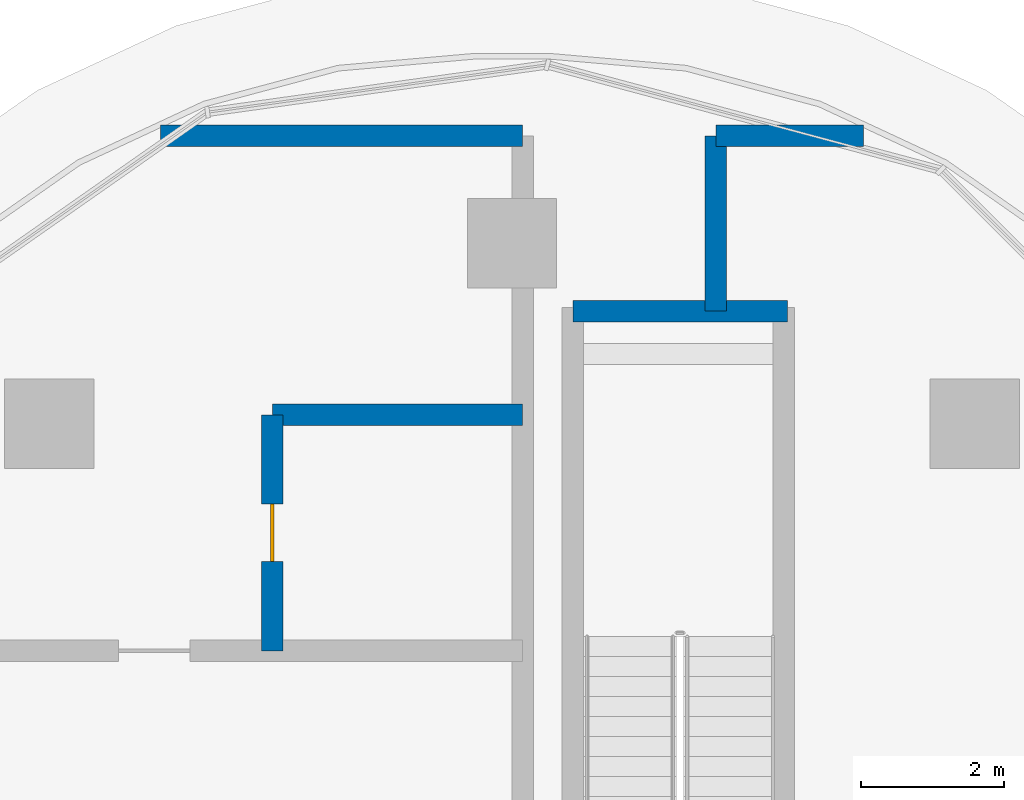
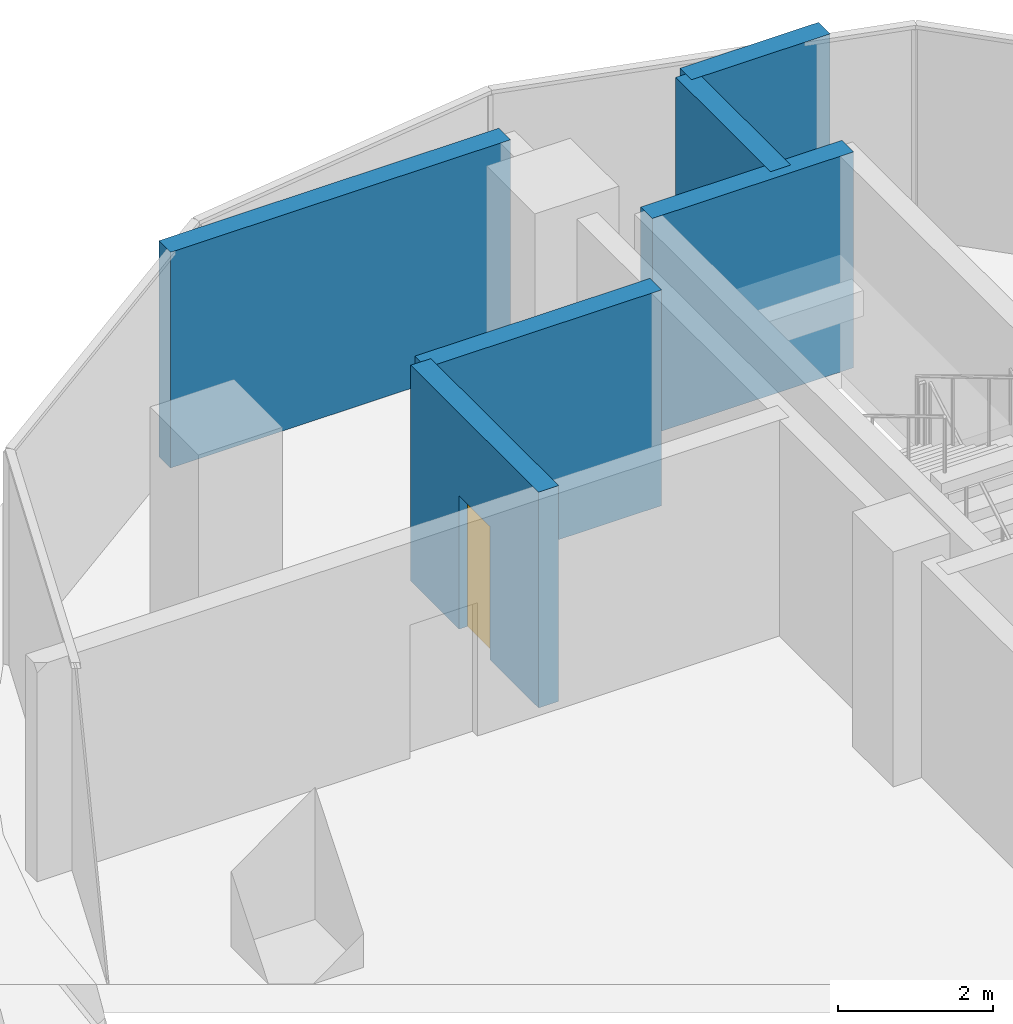
# One storey, part 15 of 25: 6 walls, 1 door, 1 opening.
"""IFC4 building model written with IfcOpenShell, lengths in metres."""

import ifcopenshell
import ifcopenshell.guid

model = None  # the IFC model being written
_history = None  # IfcOwnerHistory: only IFC2X3 demands one
_inside = {}  # id of a spatial element -> (the spatial element, [elements in it])
_under = {}  # id of a project, library or spatial element -> (it, [spatial elements below it])
_declared = {}  # id of a project -> (the project, [libraries it declares])
_typed = {}  # id of a type object -> (the type object, [elements of that type])
_made_of = {}  # id of a material, layer set ... -> (it, [elements and type objects made of it])


def new_model(schema):
    """Start an empty IFC model of exactly this schema.

    Asked for "IFC4X3", IfcOpenShell would pick the latest addendum, in which some entities
    have other attributes; the version numbers below select the first issue.
    IFC2X3 requires an IfcOwnerHistory on every rooted entity: one is made here for all.
    """
    global model, _history
    if schema == "IFC4X3":
        model = ifcopenshell.file(schema_version=(4, 3, 0, 0))
    else:
        model = ifcopenshell.file(schema=schema)
    _inside.clear()
    _under.clear()
    _declared.clear()
    _typed.clear()
    _made_of.clear()
    _history = None
    if model.schema == "IFC2X3":
        org = make("IfcOrganization", Name="unknown")
        user = make(
            "IfcPersonAndOrganization",
            ThePerson=make("IfcPerson", FamilyName="unknown"),
            TheOrganization=org,
        )
        app = make(
            "IfcApplication",
            ApplicationDeveloper=org,
            Version="unknown",
            ApplicationFullName="unknown",
            ApplicationIdentifier="unknown",
        )
        _history = make(
            "IfcOwnerHistory",
            OwningUser=user,
            OwningApplication=app,
            ChangeAction="ADDED",
            CreationDate=0,
        )
    return model


def make(cls, **values):
    """One entity of the class cls with the attributes given. An attribute that is None is left unset."""
    return model.create_entity(
        cls, **{name: value for name, value in values.items() if value is not None}
    )


def rooted(cls, **values):
    """An entity with a GlobalId (a new one), such as an element, a storey or a relation."""
    return make(cls, GlobalId=ifcopenshell.guid.new(), OwnerHistory=_history, **values)


def si_unit(unit_type, name, prefix=None):
    """IfcSIUnit, for example si_unit("LENGTHUNIT", "METRE", prefix="MILLI")."""
    return make("IfcSIUnit", UnitType=unit_type, Prefix=prefix, Name=name)


def assignment(units):
    """IfcUnitAssignment: the units of a project."""
    return None if units is None else make("IfcUnitAssignment", Units=units)


def point(xyz):
    """IfcCartesianPoint."""
    return None if xyz is None else make("IfcCartesianPoint", Coordinates=xyz)


def direction(xyz):
    """IfcDirection."""
    return None if xyz is None else make("IfcDirection", DirectionRatios=xyz)


def frame(location, z_axis=None, x_axis=None):
    """IfcAxis2Placement3D, a coordinate frame: its origin and axes. An axis left out is left unset."""
    return make(
        "IfcAxis2Placement3D",
        Location=point(location),
        Axis=direction(z_axis),
        RefDirection=direction(x_axis),
    )


def frame_2d(location, x_axis=None):
    """IfcAxis2Placement2D, a coordinate frame in the plane: its origin and x axis."""
    return make(
        "IfcAxis2Placement2D", Location=point(location), RefDirection=direction(x_axis)
    )


def origin():
    """The frame at (0, 0, 0) with its axes left unset."""
    return frame((0.0, 0.0, 0.0))


def place(relative_to, where):
    """IfcLocalPlacement: puts the frame where relative to a parent placement (None: the world)."""
    return make(
        "IfcLocalPlacement", PlacementRelTo=relative_to, RelativePlacement=where
    )


def context(
    kind, dimensions, precision=None, world=None, true_north=None, identifier=None
):
    """IfcGeometricRepresentationContext, for example the 3D "Model" context."""
    return make(
        "IfcGeometricRepresentationContext",
        ContextIdentifier=identifier,
        ContextType=kind,
        CoordinateSpaceDimension=dimensions,
        Precision=precision,
        WorldCoordinateSystem=world,
        TrueNorth=true_north,
    )


def subcontext(parent, identifier, kind, view, scale=None):
    """IfcGeometricRepresentationSubContext, for example "Body" below "Model"."""
    return make(
        "IfcGeometricRepresentationSubContext",
        ContextIdentifier=identifier,
        ContextType=kind,
        ParentContext=parent,
        TargetScale=scale,
        TargetView=view,
    )


def project(units=None, contexts=None):
    """IfcProject with its units and contexts."""
    return rooted(
        "IfcProject",
        Name="project",
        RepresentationContexts=contexts,
        UnitsInContext=assignment(units),
    )


def spatial(cls, under=None, at=None, **own):
    """A site, building, storey or space (cls), placed at a placement, below another one or the project."""
    s = rooted(cls, ObjectPlacement=at, **own)
    if under is not None:
        _under.setdefault(under.id(), (under, []))[1].append(s)
    return s


def profile(cls, at=None, kind="AREA", **sizes):
    """A parametric profile (cls). Its sizes go by their IFC names, for example OverallWidth=200.0."""
    return make(cls, ProfileType=kind, Position=at, **sizes)


def rectangle(**sizes):
    """IfcRectangleProfileDef."""
    return profile("IfcRectangleProfileDef", **sizes)


def extrude(swept, where, along, depth):
    """IfcExtrudedAreaSolid: the profile swept, set in the frame where, extruded along a direction by depth."""
    return make(
        "IfcExtrudedAreaSolid",
        SweptArea=swept,
        Position=where,
        ExtrudedDirection=direction(along),
        Depth=depth,
    )


def shape(context_of_items, identifier, shape_type, items):
    """IfcShapeRepresentation: the items that make up one representation, for example the "Body"."""
    return make(
        "IfcShapeRepresentation",
        ContextOfItems=context_of_items,
        RepresentationIdentifier=identifier,
        RepresentationType=shape_type,
        Items=items,
    )


def material(Name=None, Category=None):
    """IfcMaterial."""
    return make("IfcMaterial", Name=Name, Category=Category)


def layer(
    of_material, thickness, ventilated=None, Name=None, Category=None, Priority=None
):
    """IfcMaterialLayer: one layer of a wall or slab, of a material (None: an air gap)."""
    return make(
        "IfcMaterialLayer",
        Material=of_material,
        LayerThickness=thickness,
        IsVentilated=ventilated,
        Name=Name,
        Category=Category,
        Priority=Priority,
    )


def layer_set(layers, Name=None):
    """IfcMaterialLayerSet."""
    return make("IfcMaterialLayerSet", MaterialLayers=layers, LayerSetName=Name)


def made_of(thing, what):
    """Note that an element or type object is made of a material, layer set ...; save() writes the relation."""
    if what is not None:
        _made_of.setdefault(what.id(), (what, []))[1].append(thing)
    return thing


def type_object(cls, material=None, **own):
    """A type object (cls), such as IfcWallType, which elements share."""
    return made_of(rooted(cls, **own), material)


def element(
    cls,
    number,
    at=None,
    inside=None,
    cuts=None,
    type_object=None,
    material=None,
    context=None,
    identifier="Body",
    shape_type=None,
    held_by="IfcProductDefinitionShape",
    body=None,
    shapes=None,
    **own,
):
    """One element of the class cls, such as IfcWall. Its Tag is "e" and its number.

    at: its placement. inside: the storey or other place that contains it. cuts: it is an
    opening in that element (IfcRelVoidsElement). A single representation is given by context,
    identifier, shape_type and body (its items); several are given by shapes. held_by: the class
    of the entity that holds the representations. save() writes the other relations.
    """
    e = rooted(cls, Tag="e%d" % number, ObjectPlacement=at, **own)
    if body is not None:
        shapes = [shape(context, identifier, shape_type, body)]
    if shapes is not None:
        e.Representation = make(held_by, Representations=shapes)
    if inside is not None:
        _inside.setdefault(inside.id(), (inside, []))[1].append(e)
    if cuts is not None:
        rooted(
            "IfcRelVoidsElement", RelatingBuildingElement=cuts, RelatedOpeningElement=e
        )
    if type_object is not None:
        _typed.setdefault(type_object.id(), (type_object, []))[1].append(e)
    return made_of(e, material)


def fill(opening, filler):
    """IfcRelFillsElement: the door or window that sits in an opening."""
    return rooted(
        "IfcRelFillsElement",
        RelatingOpeningElement=opening,
        RelatedBuildingElement=filler,
    )


def aggregate(whole, parts):
    """IfcRelAggregates: a whole, such as a stair, and the parts it consists of."""
    return rooted("IfcRelAggregates", RelatingObject=whole, RelatedObjects=parts)


def save(model, path):
    """Write the relations noted so far, then the file.

    IfcRelAggregates (storeys below a building ...), IfcRelContainedInSpatialStructure (elements
    in a storey), IfcRelDefinesByType, IfcRelAssociatesMaterial and IfcRelDeclares: one each for
    every whole, place, type object, material and project.
    """
    for whole, parts in _under.values():
        aggregate(whole, parts)
    for where, things in _inside.values():
        rooted(
            "IfcRelContainedInSpatialStructure",
            RelatedElements=things,
            RelatingStructure=where,
        )
    for kind, things in _typed.values():
        rooted("IfcRelDefinesByType", RelatedObjects=things, RelatingType=kind)
    for what, things in _made_of.values():
        rooted("IfcRelAssociatesMaterial", RelatedObjects=things, RelatingMaterial=what)
    for by, libraries in _declared.values():
        rooted("IfcRelDeclares", RelatingContext=by, RelatedDefinitions=libraries)
    model.write(path)


model = new_model("IFC4")

# Units and contexts
model_context = context("Model", 3, precision=1e-05, world=origin(), true_north=direction((0.0, 1.0)))
body_context = subcontext(model_context, "Body", "Model", "MODEL_VIEW")
ifc_project = project(units=[si_unit("LENGTHUNIT", "METRE"), si_unit("AREAUNIT", "SQUARE_METRE"), si_unit("VOLUMEUNIT", "CUBIC_METRE"), si_unit("PLANEANGLEUNIT", "RADIAN"), si_unit("MASSUNIT", "GRAM", prefix="KILO")], contexts=[model_context])

# Site, building, storey
site_placement = place(None, origin())
site = spatial("IfcSite", under=ifc_project, at=site_placement, CompositionType="ELEMENT")
building_placement = place(site_placement, origin())
building = spatial("IfcBuilding", under=site, at=building_placement, Name="Ogive Portal Towers", CompositionType="ELEMENT")
storey_placement = place(building_placement, frame((0.0, 0.0, 116.699951171875)))
storey = spatial("IfcBuildingStorey", under=building, at=storey_placement, Name="L28", CompositionType="ELEMENT", Elevation=116.699951171875)

# Walls
ifc_material_1 = material(Name="Concrete C50/60", Category="concrete")
ifc_layer_1 = layer(ifc_material_1, 0.300048828125)
ifc_layer_set_1 = layer_set([ifc_layer_1], Name="STAIR WALL 300 C50")
wall_type_1 = type_object("IfcWallType", Name="STAIR WALL 300 C50", PredefinedType="SHEAR", material=ifc_layer_set_1)
wall_1_placement = place(storey_placement, frame((41.35009765625, 74.550048828125, 0.0), z_axis=(0.0, 0.0, 1.0), x_axis=(1.0, 0.0, 0.0)))
element("IfcWall", 1, at=wall_1_placement, inside=storey, type_object=wall_type_1, Name="Stair wall ST-A3 L28", PredefinedType="SHEAR", context=body_context, shape_type="SweptSolid", body=[
    extrude(rectangle(XDim=3.0, YDim=0.300048828125, at=frame_2d((1.5, 0.0))), origin(), (0.0, 0.0, 1.0), 3.400146484375),
])
ifc_material_2 = material(Name="Gypsum board partition on steel studs", Category="steel")
ifc_layer_2 = layer(ifc_material_2, 0.300048828125)
ifc_layer_set_2 = layer_set([ifc_layer_2], Name="WT-PART-300-EI 60")
wall_type_2 = type_object("IfcWallType", Name="WT-PART-300-EI 60", PredefinedType="PARTITIONING", material=ifc_layer_set_2)
wall_2_placement = place(storey_placement, frame((37.14990234375, 73.10009765625, 0.0), z_axis=(0.0, 0.0, 1.0), x_axis=(1.0, 0.0, 0.0)))
element("IfcWall", 2, at=wall_2_placement, inside=storey, type_object=wall_type_2, Name="Wall L28:w030", PredefinedType="PARTITIONING", context=body_context, shape_type="SweptSolid", body=[
    extrude(rectangle(XDim=3.5, YDim=0.300048828125, at=frame_2d((1.75, 0.0))), origin(), (0.0, 0.0, 1.0), 3.400146484375),
])
wall_3_placement = place(storey_placement, frame((35.5859375, 77.0, 0.0), z_axis=(0.0, 0.0, 1.0), x_axis=(1.0, 0.0, 0.0)))
element("IfcWall", 3, at=wall_3_placement, inside=storey, type_object=wall_type_2, Name="Wall L28:w032", PredefinedType="PARTITIONING", context=body_context, shape_type="SweptSolid", body=[
    extrude(rectangle(XDim=5.06396484375, YDim=0.300048828125, at=frame_2d((2.531982421875, 0.0))), origin(), (0.0, 0.0, 1.0), 3.400146484375),
])
wall_4_placement = place(storey_placement, frame((43.35009765625, 77.0, 0.0), z_axis=(0.0, 0.0, 1.0), x_axis=(1.0, 0.0, 0.0)))
element("IfcWall", 4, at=wall_4_placement, inside=storey, type_object=wall_type_2, Name="Wall L28:w033", PredefinedType="PARTITIONING", context=body_context, shape_type="SweptSolid", body=[
    extrude(rectangle(XDim=2.06396484375, YDim=0.300048828125, at=frame_2d((1.031982421875, 0.0))), origin(), (0.0, 0.0, 1.0), 3.400146484375),
])

# Wall, opening, door
wall_5_placement = place(storey_placement, frame((37.14990234375, 69.800048828125, 0.0), z_axis=(0.0, 0.0, 1.0), x_axis=(0.0, 1.0, 0.0)))
wall_5 = element("IfcWall", 5, at=wall_5_placement, inside=storey, type_object=wall_type_2, Name="Wall L28:w034", PredefinedType="PARTITIONING", context=body_context, shape_type="SweptSolid", body=[
    extrude(rectangle(XDim=3.300048828125, YDim=0.300048828125, at=frame_2d((1.64990234375, 0.0))), origin(), (0.0, 0.0, 1.0), 3.400146484375),
])
opening_placement = place(wall_5_placement, frame((1.25, 0.0, 0.0)))
opening = element("IfcOpeningElement", 6, at=opening_placement, cuts=wall_5, Name="Opening D10-061", PredefinedType="OPENING", context=body_context, shape_type="SweptSolid", body=[
    extrude(rectangle(XDim=0.800048828125, YDim=2.10009765625, at=frame_2d((0.39990234375, 1.050048828125))), frame((0.0, 0.16015625, 0.0), z_axis=(0.0, -1.0, 0.0), x_axis=(1.0, 0.0, 0.0)), (0.0, 0.0, 1.0), 0.320068359375),
])
ifc_material_3 = material(Name="Steel fire door", Category="steel")
door_type = type_object("IfcDoorType", Name="DT-BATH-800x2100-FD60S", OperationType="SINGLE_SWING_LEFT", PredefinedType="DOOR", material=ifc_material_3)
door_placement = place(opening_placement, origin())
door = element("IfcDoor", 7, at=door_placement, inside=storey, type_object=door_type, Name="Door D10-061", OperationType="SINGLE_SWING_RIGHT", OverallHeight=2.10009765625, OverallWidth=0.800048828125, PredefinedType="DOOR", context=body_context, shape_type="SweptSolid", body=[
    extrude(rectangle(XDim=0.800048828125, YDim=2.10009765625, at=frame_2d((0.39990234375, 1.050048828125))), frame((0.0, 0.02490234375, 0.0), z_axis=(0.0, -1.0, 0.0), x_axis=(1.0, 0.0, 0.0)), (0.0, 0.0, 1.0), 0.050048828125),
])
fill(opening, door)

# Wall
ifc_material_4 = material(Name="Concrete C40/50", Category="concrete")
ifc_layer_3 = layer(ifc_material_4, 0.300048828125)
ifc_layer_set_3 = layer_set([ifc_layer_3], Name="WT-SHAFT-300")
wall_type_3 = type_object("IfcWallType", Name="WT-SHAFT-300", PredefinedType="SOLIDWALL", material=ifc_layer_set_3)
wall_6_placement = place(storey_placement, frame((43.35009765625, 74.550048828125, 0.0), z_axis=(0.0, 0.0, 1.0), x_axis=(0.0, 1.0, 0.0)))
element("IfcWall", 8, at=wall_6_placement, inside=storey, type_object=wall_type_3, Name="Wall L28:w040", PredefinedType="SOLIDWALL", context=body_context, shape_type="SweptSolid", body=[
    extrude(rectangle(XDim=2.449951171875, YDim=0.300048828125, at=frame_2d((1.22509765625, 0.0))), origin(), (0.0, 0.0, 1.0), 3.400146484375),
])

save(model, "model.ifc")
